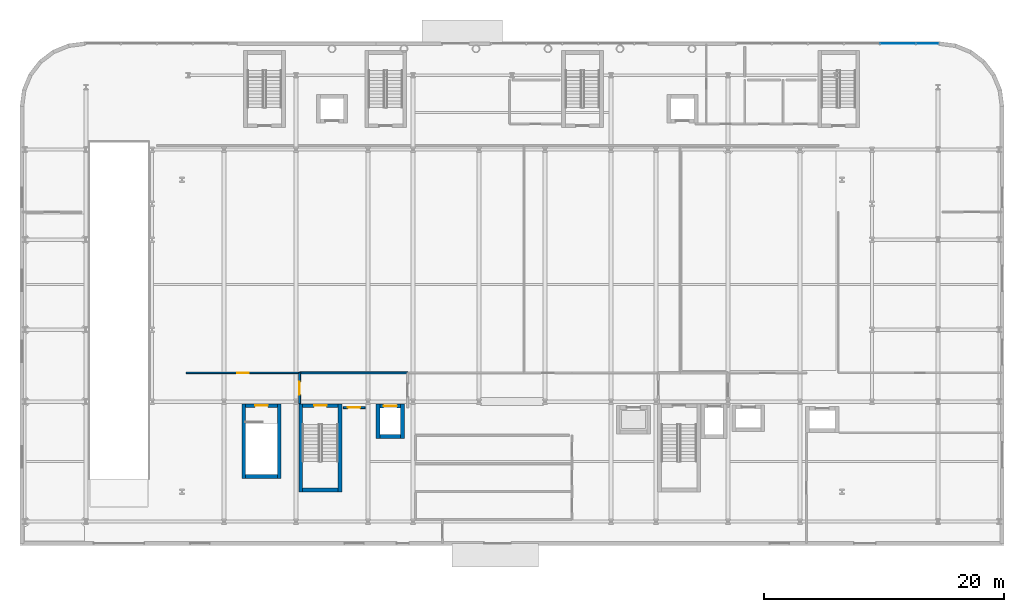
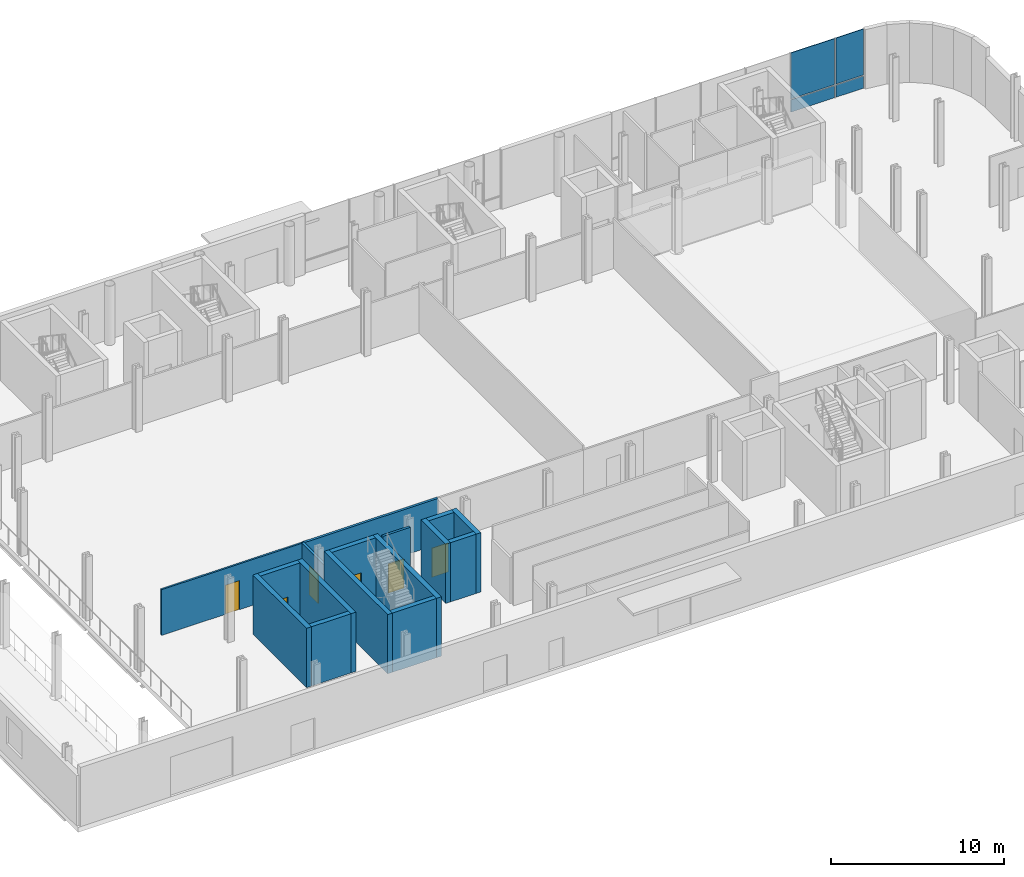
# One storey, part 16 of 28: 16 walls, 6 doors, 4 plates, 6 openings, 1 element without a shape of its own.
"""IFC4 building model written with IfcOpenShell, lengths in metres."""

from ifc_helpers import new_model, si_unit, direction, frame, frame_2d, origin, origin_2d, place, context, subcontext, project, spatial, rectangle, extrude, material, layer, layer_set, type_object, element, fill, aggregate, save


model = new_model("IFC4")

# Units and contexts
model_context = context("Model", 3, precision=1e-05, world=origin(), true_north=direction((0.0, 1.0)))
body_context = subcontext(model_context, "Body", "Model", "MODEL_VIEW")
ifc_project = project(units=[si_unit("LENGTHUNIT", "METRE"), si_unit("AREAUNIT", "SQUARE_METRE"), si_unit("VOLUMEUNIT", "CUBIC_METRE"), si_unit("PLANEANGLEUNIT", "RADIAN"), si_unit("MASSUNIT", "GRAM", prefix="KILO")], contexts=[model_context])

# Site, building, storey
site_placement = place(None, origin())
site = spatial("IfcSite", under=ifc_project, at=site_placement, CompositionType="ELEMENT")
building_placement = place(site_placement, origin())
building = spatial("IfcBuilding", under=site, at=building_placement, Name="Brevholm Reach", CompositionType="ELEMENT")
storey_placement = place(building_placement, origin())
storey = spatial("IfcBuildingStorey", under=building, at=storey_placement, Name="L00", CompositionType="ELEMENT", Elevation=0.0)

# Curtain wall, plates
ifc_material_1 = material(Name="Dark Anodised Aluminium 6063-T6 and Solar-Control Glass", Category="aluminium")
ifc_layer_1 = layer(ifc_material_1, 0.1650390625)
ifc_layer_set_1 = layer_set([ifc_layer_1], Name="Dark Anodised Aluminium 6063-T6 and Solar-Control Glass")
curtain_wall_type = type_object("IfcCurtainWallType", Name="CW-03", PredefinedType="NOTDEFINED", material=ifc_layer_set_1)
curtain_wall_placement = place(storey_placement, origin())
curtain_wall = element("IfcCurtainWall", 1, at=curtain_wall_placement, inside=storey, type_object=curtain_wall_type, Name="L00 Curtain Wall CW-03", PredefinedType="NOTDEFINED")
ifc_material_2 = material(Name="Triple-Glazed Acoustic School IGU Glass", Category="glass")
ifc_layer_2 = layer(ifc_material_2, 0.0439453125)
ifc_layer_set_2 = layer_set([ifc_layer_2], Name="Triple-Glazed Acoustic School IGU Glass")
plate_type = type_object("IfcPlateType", Name="CWP-ACU-44", PredefinedType="CURTAIN_PANEL", material=ifc_layer_set_2)
plate_1_placement = place(storey_placement, frame((62.14990234375, 39.830078125, 0.0), z_axis=(0.0, 0.0, 1.0), x_axis=(1.0, 0.0, 0.0)))
plate_1 = element("IfcPlate", 2, at=plate_1_placement, type_object=plate_type, Name="CP-03 Glazing Panel 5.1", PredefinedType="CURTAIN_PANEL", context=body_context, shape_type="SweptSolid", body=[
    extrude(rectangle(XDim=2.929931640625, YDim=0.0439453125, at=origin_2d()), origin(), (0.0, 0.0, 1.0), 0.864990234375),
])
plate_2_placement = place(storey_placement, frame((62.14990234375, 39.830078125, 0.93505859375), z_axis=(0.0, 0.0, 1.0), x_axis=(1.0, 0.0, 0.0)))
plate_2 = element("IfcPlate", 3, at=plate_2_placement, type_object=plate_type, Name="CP-03 Glazing Panel 5.2", PredefinedType="CURTAIN_PANEL", context=body_context, shape_type="SweptSolid", body=[
    extrude(rectangle(XDim=2.929931640625, YDim=0.0439453125, at=origin_2d()), origin(), (0.0, 0.0, 1.0), 3.2451171875),
])
plate_3_placement = place(storey_placement, frame((64.607421875, 39.830078125, 0.0), z_axis=(0.0, 0.0, 1.0), x_axis=(1.0, 0.0, 0.0)))
plate_3 = element("IfcPlate", 4, at=plate_3_placement, type_object=plate_type, Name="CP-03 Glazing Panel 6.1", PredefinedType="CURTAIN_PANEL", context=body_context, shape_type="SweptSolid", body=[
    extrude(rectangle(XDim=1.844970703125, YDim=0.0439453125, at=origin_2d()), origin(), (0.0, 0.0, 1.0), 0.864990234375),
])
plate_4_placement = place(storey_placement, frame((64.607421875, 39.830078125, 0.93505859375), z_axis=(0.0, 0.0, 1.0), x_axis=(1.0, 0.0, 0.0)))
plate_4 = element("IfcPlate", 5, at=plate_4_placement, type_object=plate_type, Name="CP-03 Glazing Panel 6.2", PredefinedType="CURTAIN_PANEL", context=body_context, shape_type="SweptSolid", body=[
    extrude(rectangle(XDim=1.844970703125, YDim=0.0439453125, at=origin_2d()), origin(), (0.0, 0.0, 1.0), 3.2451171875),
])
aggregate(curtain_wall, [plate_1, plate_2, plate_3, plate_4])

# Walls
ifc_material_3 = material(Name="Concrete C60/75", Category="concrete")
ifc_layer_3 = layer(ifc_material_3, 0.320068359375)
ifc_layer_set_3 = layer_set([ifc_layer_3], Name="Concrete C60/75")
wall_type_1 = type_object("IfcWallType", Name="WAL-COR-320", PredefinedType="SHEAR", material=ifc_layer_set_3)
for number, where, z_axis, x_axis, name in (
    (6, (12.389892578125, 2.4599609375, 0.0), (0.0, 0.0, 1.0), (0.0, 1.0, 0.0), "L00 Escape Stair ST-1 Core Wall W"),
    (7, (15.659912109375, 2.4599609375, 0.0), (0.0, 0.0, 1.0), (0.0, 1.0, 0.0), "L00 Escape Stair ST-1 Core Wall E"),
):
    element("IfcWall", number, at=place(storey_placement, frame(where, z_axis=z_axis, x_axis=x_axis)), inside=storey, type_object=wall_type_1, Name=name, PredefinedType="SHEAR", context=body_context, shape_type="SweptSolid", body=[
        extrude(rectangle(XDim=7.360107421875, YDim=0.320068359375, at=frame_2d((3.68017578125, 0.0))), origin(), (0.0, 0.0, 1.0), 4.179931640625),
    ])
wall_1_placement = place(storey_placement, frame((12.550048828125, 2.6201171875, 0.0), z_axis=(0.0, 0.0, 1.0), x_axis=(1.0, 0.0, 0.0)))
element("IfcWall", 8, at=wall_1_placement, inside=storey, type_object=wall_type_1, Name="L00 Escape Stair ST-1 Core Wall S", PredefinedType="SHEAR", context=body_context, shape_type="SweptSolid", body=[
    extrude(rectangle(XDim=2.949951171875, YDim=0.320068359375, at=frame_2d((1.47509765625, 0.0))), origin(), (0.0, 0.0, 1.0), 4.179931640625),
])

# Wall, opening, door
wall_2_placement = place(storey_placement, frame((15.5, 9.659912109375, 0.0), z_axis=(0.0, 0.0, 1.0), x_axis=(-1.0, 0.0, 0.0)))
wall_2 = element("IfcWall", 9, at=wall_2_placement, inside=storey, type_object=wall_type_1, Name="L00 Escape Stair ST-1 Core Wall N", PredefinedType="SHEAR", context=body_context, shape_type="SweptSolid", body=[
    extrude(rectangle(XDim=2.949951171875, YDim=0.320068359375, at=frame_2d((1.47509765625, 0.0))), origin(), (0.0, 0.0, 1.0), 4.179931640625),
])
opening_1_placement = place(wall_2_placement, frame((0.949951171875, 0.0, 0.0)))
opening_1 = element("IfcOpeningElement", 10, at=opening_1_placement, cuts=wall_2, Name="Opening SD-ST-1", PredefinedType="OPENING", context=body_context, shape_type="SweptSolid", body=[
    extrude(rectangle(XDim=1.050048828125, YDim=2.06005859375, at=frame_2d((0.52490234375, 1.030029296875))), frame((0.0, 0.169921875, 0.0), z_axis=(0.0, -1.0, 0.0), x_axis=(1.0, 0.0, 0.0)), (0.0, 0.0, 1.0), 0.340087890625),
])
ifc_material_4 = material(Name="Hardwood-Lipped Steel-Core Fire and Smoke Door", Category="steel")
door_type_1 = type_object("IfcDoorType", Name="DOR-INT-FD60S", OperationType="NOTDEFINED", PredefinedType="DOOR", material=ifc_material_4)
door_1_placement = place(opening_1_placement, origin())
door_1 = element("IfcDoor", 11, at=door_1_placement, inside=storey, type_object=door_type_1, Name="L00 Protected Stair ST-1 Lobby Door", OperationType="SINGLE_SWING_RIGHT", OverallHeight=2.06005859375, OverallWidth=1.050048828125, PredefinedType="DOOR", context=body_context, shape_type="SweptSolid", body=[
    extrude(rectangle(XDim=1.050048828125, YDim=2.06005859375, at=frame_2d((0.52490234375, 1.030029296875))), frame((0.0, 0.02490234375, 0.0), z_axis=(0.0, -1.0, 0.0), x_axis=(1.0, 0.0, 0.0)), (0.0, 0.0, 1.0), 0.050048828125),
])
fill(opening_1, door_1)

# Walls
for number, where, z_axis, x_axis, name in (
    (12, (7.639892578125, 3.60009765625, 0.0), (0.0, 0.0, 1.0), (0.0, 1.0, 0.0), "L00 Escape Stair ST-B1 Core Wall W"),
    (13, (10.610107421875, 3.60009765625, 0.0), (0.0, 0.0, 1.0), (0.0, 1.0, 0.0), "L00 Escape Stair ST-B1 Core Wall E"),
):
    element("IfcWall", number, at=place(storey_placement, frame(where, z_axis=z_axis, x_axis=x_axis)), inside=storey, type_object=wall_type_1, Name=name, PredefinedType="SHEAR", context=body_context, shape_type="SweptSolid", body=[
        extrude(rectangle(XDim=6.219970703125, YDim=0.320068359375, at=frame_2d((3.10986328125, 0.0))), origin(), (0.0, 0.0, 1.0), 4.179931640625),
    ])
wall_3_placement = place(storey_placement, frame((7.800048828125, 3.760009765625, 0.0), z_axis=(0.0, 0.0, 1.0), x_axis=(1.0, 0.0, 0.0)))
element("IfcWall", 14, at=wall_3_placement, inside=storey, type_object=wall_type_1, Name="L00 Escape Stair ST-B1 Core Wall S", PredefinedType="SHEAR", context=body_context, shape_type="SweptSolid", body=[
    extrude(rectangle(XDim=2.64990234375, YDim=0.320068359375, at=frame_2d((1.324951171875, 0.0))), origin(), (0.0, 0.0, 1.0), 4.179931640625),
])

# Wall, opening, door
wall_4_placement = place(storey_placement, frame((10.449951171875, 9.659912109375, 0.0), z_axis=(0.0, 0.0, 1.0), x_axis=(-1.0, 0.0, 0.0)))
wall_4 = element("IfcWall", 15, at=wall_4_placement, inside=storey, type_object=wall_type_1, Name="L00 Escape Stair ST-B1 Core Wall N", PredefinedType="SHEAR", context=body_context, shape_type="SweptSolid", body=[
    extrude(rectangle(XDim=2.64990234375, YDim=0.320068359375, at=frame_2d((1.324951171875, 0.0))), origin(), (0.0, 0.0, 1.0), 4.179931640625),
])
opening_2_placement = place(wall_4_placement, frame((0.800048828125, 0.0, 0.0)))
opening_2 = element("IfcOpeningElement", 16, at=opening_2_placement, cuts=wall_4, Name="Opening SD-ST-B1", PredefinedType="OPENING", context=body_context, shape_type="SweptSolid", body=[
    extrude(rectangle(XDim=1.050048828125, YDim=2.06005859375, at=frame_2d((0.52490234375, 1.030029296875))), frame((0.0, 0.169921875, 0.0), z_axis=(0.0, -1.0, 0.0), x_axis=(1.0, 0.0, 0.0)), (0.0, 0.0, 1.0), 0.340087890625),
])
door_2_placement = place(opening_2_placement, origin())
door_2 = element("IfcDoor", 17, at=door_2_placement, inside=storey, type_object=door_type_1, Name="L00 Protected Stair ST-B1 Lobby Door", OperationType="SINGLE_SWING_RIGHT", OverallHeight=2.06005859375, OverallWidth=1.050048828125, PredefinedType="DOOR", context=body_context, shape_type="SweptSolid", body=[
    extrude(rectangle(XDim=1.050048828125, YDim=2.06005859375, at=frame_2d((0.52490234375, 1.030029296875))), frame((0.0, 0.02490234375, 0.0), z_axis=(0.0, -1.0, 0.0), x_axis=(1.0, 0.0, 0.0)), (0.0, 0.0, 1.0), 0.050048828125),
])
fill(opening_2, door_2)

# Walls
for number, where, z_axis, x_axis, name in (
    (18, (18.830078125, 6.919921875, 0.0), (0.0, 0.0, 1.0), (0.0, 1.0, 0.0), "L00 Lift FFL-1 Shaft Wall W"),
    (19, (20.8701171875, 6.919921875, 0.0), (0.0, 0.0, 1.0), (0.0, 1.0, 0.0), "L00 Lift FFL-1 Shaft Wall E"),
):
    element("IfcWall", number, at=place(storey_placement, frame(where, z_axis=z_axis, x_axis=x_axis)), inside=storey, type_object=wall_type_1, Name=name, PredefinedType="SHEAR", context=body_context, shape_type="SweptSolid", body=[
        extrude(rectangle(XDim=2.860107421875, YDim=0.320068359375, at=frame_2d((1.43017578125, 0.0))), origin(), (0.0, 0.0, 1.0), 4.179931640625),
    ])
wall_5_placement = place(storey_placement, frame((18.989990234375, 7.080078125, 0.0), z_axis=(0.0, 0.0, 1.0), x_axis=(1.0, 0.0, 0.0)))
element("IfcWall", 20, at=wall_5_placement, inside=storey, type_object=wall_type_1, Name="L00 Lift FFL-1 Shaft Wall S", PredefinedType="SHEAR", context=body_context, shape_type="SweptSolid", body=[
    extrude(rectangle(XDim=1.719970703125, YDim=0.320068359375, at=frame_2d((0.85986328125, 0.0))), origin(), (0.0, 0.0, 1.0), 4.179931640625),
])

# Wall, opening, door
wall_6_placement = place(storey_placement, frame((18.989990234375, 9.6201171875, 0.0), z_axis=(0.0, 0.0, 1.0), x_axis=(1.0, 0.0, 0.0)))
wall_6 = element("IfcWall", 21, at=wall_6_placement, inside=storey, type_object=wall_type_1, Name="L00 Lift FFL-1 Shaft Wall N", PredefinedType="SHEAR", context=body_context, shape_type="SweptSolid", body=[
    extrude(rectangle(XDim=1.719970703125, YDim=0.320068359375, at=frame_2d((0.85986328125, 0.0))), origin(), (0.0, 0.0, 1.0), 4.179931640625),
])
opening_3_placement = place(wall_6_placement, frame((0.31005859375, 0.0, 0.0)))
opening_3 = element("IfcOpeningElement", 22, at=opening_3_placement, cuts=wall_6, Name="Opening LD-FFL-1", PredefinedType="OPENING", context=body_context, shape_type="SweptSolid", body=[
    extrude(rectangle(XDim=1.10009765625, YDim=2.06005859375, at=frame_2d((0.550048828125, 1.030029296875))), frame((0.0, 0.169921875, 0.0), z_axis=(0.0, -1.0, 0.0), x_axis=(1.0, 0.0, 0.0)), (0.0, 0.0, 1.0), 0.340087890625),
])
ifc_material_5 = material(Name="Brushed Stainless Steel Fire-Rated Sliding Lift Door", Category="steel")
door_type_2 = type_object("IfcDoorType", Name="DOR-LFT-1100", OperationType="NOTDEFINED", PredefinedType="DOOR", material=ifc_material_5)
door_3_placement = place(opening_3_placement, origin())
door_3 = element("IfcDoor", 23, at=door_3_placement, inside=storey, type_object=door_type_2, Name="L00 Lift FFL-1 Sliding Landing Door", OperationType="SLIDING_TO_RIGHT", OverallHeight=2.06005859375, OverallWidth=1.10009765625, PredefinedType="DOOR", context=body_context, shape_type="SweptSolid", body=[
    extrude(rectangle(XDim=1.10009765625, YDim=2.06005859375, at=frame_2d((0.550048828125, 1.030029296875))), frame((0.0, 0.02490234375, 0.0), z_axis=(0.0, -1.0, 0.0), x_axis=(1.0, 0.0, 0.0)), (0.0, 0.0, 1.0), 0.050048828125),
])
fill(opening_3, door_3)

ifc_material_6 = material(Name="Acoustic Fire-Rated Classroom Gypsum Partition 120 mm", Category="gypsum")
ifc_layer_4 = layer(ifc_material_6, 0.1201171875)
ifc_layer_set_4 = layer_set([ifc_layer_4], Name="Acoustic Fire-Rated Classroom Gypsum Partition 120 mm")
wall_type_2 = type_object("IfcWallType", Name="WAL-PRT-120", PredefinedType="PARTITIONING", material=ifc_layer_set_4)
wall_7_placement = place(storey_placement, frame((2.85009765625, 12.39990234375, 0.0), z_axis=(0.0, 0.0, 1.0), x_axis=(1.0, 0.0, 0.0)))
wall_7 = element("IfcWall", 24, at=wall_7_placement, inside=storey, type_object=wall_type_2, Name="L00 Internal Partition 017", PredefinedType="PARTITIONING", context=body_context, shape_type="SweptSolid", body=[
    extrude(rectangle(XDim=9.44580078125, YDim=0.1201171875, at=frame_2d((4.722900390625, 0.0))), origin(), (0.0, 0.0, 1.0), 3.228515625),
])
opening_4_placement = place(wall_7_placement, frame((4.248046875, 0.0, 0.0)))
opening_4 = element("IfcOpeningElement", 25, at=opening_4_placement, cuts=wall_7, Name="Opening ID-30", PredefinedType="OPENING", context=body_context, shape_type="SweptSolid", body=[
    extrude(rectangle(XDim=0.949951171875, YDim=2.050048828125, at=frame_2d((0.47509765625, 1.02490234375))), frame((0.0, 0.070068359375, 0.0), z_axis=(0.0, -1.0, 0.0), x_axis=(1.0, 0.0, 0.0)), (0.0, 0.0, 1.0), 0.14013671875),
])
ifc_material_7 = material(Name="European Oak Veneered Solid-Core Fire Entrance Door", Category="timber")
door_type_3 = type_object("IfcDoorType", Name="DOR-FLT-FD30S", OperationType="NOTDEFINED", PredefinedType="DOOR", material=ifc_material_7)
door_4_placement = place(opening_4_placement, origin())
door_4 = element("IfcDoor", 26, at=door_4_placement, inside=storey, type_object=door_type_3, Name="L00 Internal Door 009", OperationType="SINGLE_SWING_RIGHT", OverallHeight=2.050048828125, OverallWidth=0.949951171875, PredefinedType="DOOR", context=body_context, shape_type="SweptSolid", body=[
    extrude(rectangle(XDim=0.949951171875, YDim=2.050048828125, at=frame_2d((0.47509765625, 1.02490234375))), frame((0.0, 0.02490234375, 0.0), z_axis=(0.0, -1.0, 0.0), x_axis=(1.0, 0.0, 0.0)), (0.0, 0.0, 1.0), 0.050048828125),
])
fill(opening_4, door_4)

ifc_material_8 = material(Name="Twin-Frame Fire-Rated Gypsum Board and Mineral Wool 160 mm", Category="gypsum")
ifc_layer_5 = layer(ifc_material_8, 0.159912109375)
ifc_layer_set_5 = layer_set([ifc_layer_5], Name="Twin-Frame Fire-Rated Gypsum Board and Mineral Wool 160 mm")
wall_type_3 = type_object("IfcWallType", Name="WAL-PRT-160", PredefinedType="PARTITIONING", material=ifc_layer_set_5)
wall_8_placement = place(storey_placement, frame((12.300048828125, 9.830078125, 0.0), z_axis=(0.0, 0.0, 1.0), x_axis=(0.0, 1.0, 0.0)))
wall_8 = element("IfcWall", 27, at=wall_8_placement, inside=storey, type_object=wall_type_3, Name="L00 Internal Partition 009", PredefinedType="PARTITIONING", context=body_context, shape_type="SweptSolid", body=[
    extrude(rectangle(XDim=2.56982421875, YDim=0.159912109375, at=frame_2d((1.284912109375, 0.0))), origin(), (0.0, 0.0, 1.0), 3.228515625),
])
opening_5_placement = place(wall_8_placement, frame((0.760009765625, 0.0, 0.0)))
opening_5 = element("IfcOpeningElement", 28, at=opening_5_placement, cuts=wall_8, Name="Opening FD-01", PredefinedType="OPENING", context=body_context, shape_type="SweptSolid", body=[
    extrude(rectangle(XDim=1.050048828125, YDim=2.06005859375, at=frame_2d((0.52490234375, 1.030029296875))), frame((0.0, 0.08984375, 0.0), z_axis=(0.0, -1.0, 0.0), x_axis=(1.0, 0.0, 0.0)), (0.0, 0.0, 1.0), 0.179931640625),
])
door_5_placement = place(opening_5_placement, origin())
door_5 = element("IfcDoor", 29, at=door_5_placement, inside=storey, type_object=door_type_1, Name="L00 Internal Door 004", OperationType="SINGLE_SWING_LEFT", OverallHeight=2.06005859375, OverallWidth=1.050048828125, PredefinedType="DOOR", context=body_context, shape_type="SweptSolid", body=[
    extrude(rectangle(XDim=1.050048828125, YDim=2.06005859375, at=frame_2d((0.52490234375, 1.030029296875))), frame((0.0, 0.02490234375, 0.0), z_axis=(0.0, -1.0, 0.0), x_axis=(1.0, 0.0, 0.0)), (0.0, 0.0, 1.0), 0.050048828125),
])
fill(opening_5, door_5)

wall_9_placement = place(storey_placement, frame((15.938720703125, 9.5, 0.0), z_axis=(0.0, 0.0, 1.0), x_axis=(1.0, 0.0, 0.0)))
wall_9 = element("IfcWall", 30, at=wall_9_placement, inside=storey, type_object=wall_type_3, Name="L00 Internal Partition 010", PredefinedType="PARTITIONING", context=body_context, shape_type="SweptSolid", body=[
    extrude(rectangle(XDim=1.822509765625, YDim=0.159912109375, at=frame_2d((0.9111328125, 0.0))), origin(), (0.0, 0.0, 1.0), 4.179931640625),
])
opening_6_placement = place(wall_9_placement, frame((0.38623046875, 0.0, 0.0)))
opening_6 = element("IfcOpeningElement", 31, at=opening_6_placement, cuts=wall_9, Name="Opening FD-01", PredefinedType="OPENING", context=body_context, shape_type="SweptSolid", body=[
    extrude(rectangle(XDim=1.050048828125, YDim=2.06005859375, at=frame_2d((0.52490234375, 1.030029296875))), frame((0.0, 0.08984375, 0.0), z_axis=(0.0, -1.0, 0.0), x_axis=(1.0, 0.0, 0.0)), (0.0, 0.0, 1.0), 0.179931640625),
])
door_6_placement = place(opening_6_placement, origin())
door_6 = element("IfcDoor", 32, at=door_6_placement, inside=storey, type_object=door_type_1, Name="L00 Internal Door 005", OperationType="SINGLE_SWING_RIGHT", OverallHeight=2.06005859375, OverallWidth=1.050048828125, PredefinedType="DOOR", context=body_context, shape_type="SweptSolid", body=[
    extrude(rectangle(XDim=1.050048828125, YDim=2.06005859375, at=frame_2d((0.52490234375, 1.030029296875))), frame((0.0, 0.02490234375, 0.0), z_axis=(0.0, -1.0, 0.0), x_axis=(1.0, 0.0, 0.0)), (0.0, 0.0, 1.0), 0.050048828125),
])
fill(opening_6, door_6)

# Wall
wall_10_placement = place(storey_placement, frame((12.300048828125, 12.39990234375, 0.0), z_axis=(0.0, 0.0, 1.0), x_axis=(1.0, 0.0, 0.0)))
element("IfcWall", 33, at=wall_10_placement, inside=storey, type_object=wall_type_3, Name="L00 Internal Partition 012", PredefinedType="PARTITIONING", context=body_context, shape_type="SweptSolid", body=[
    extrude(rectangle(XDim=9.0, YDim=0.159912109375, at=frame_2d((4.5, 0.0))), origin(), (0.0, 0.0, 1.0), 3.228515625),
])

save(model, "model.ifc")
